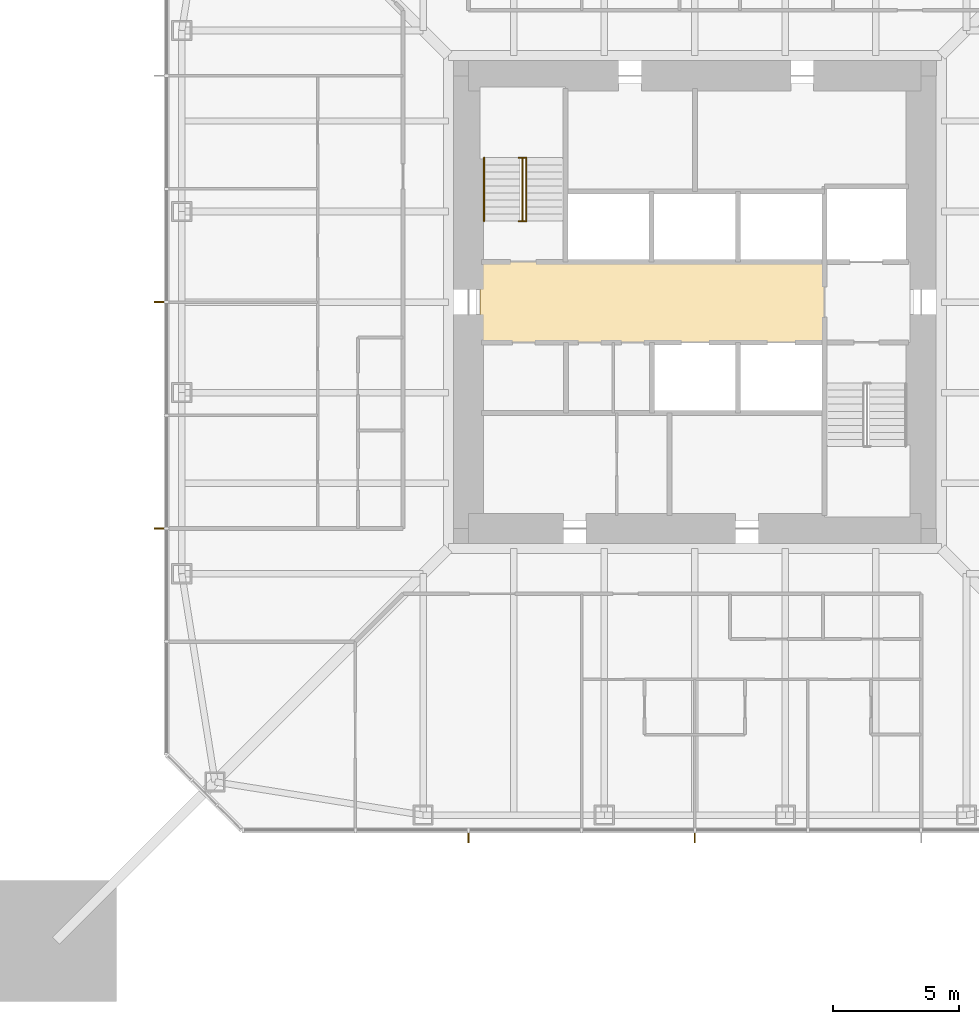
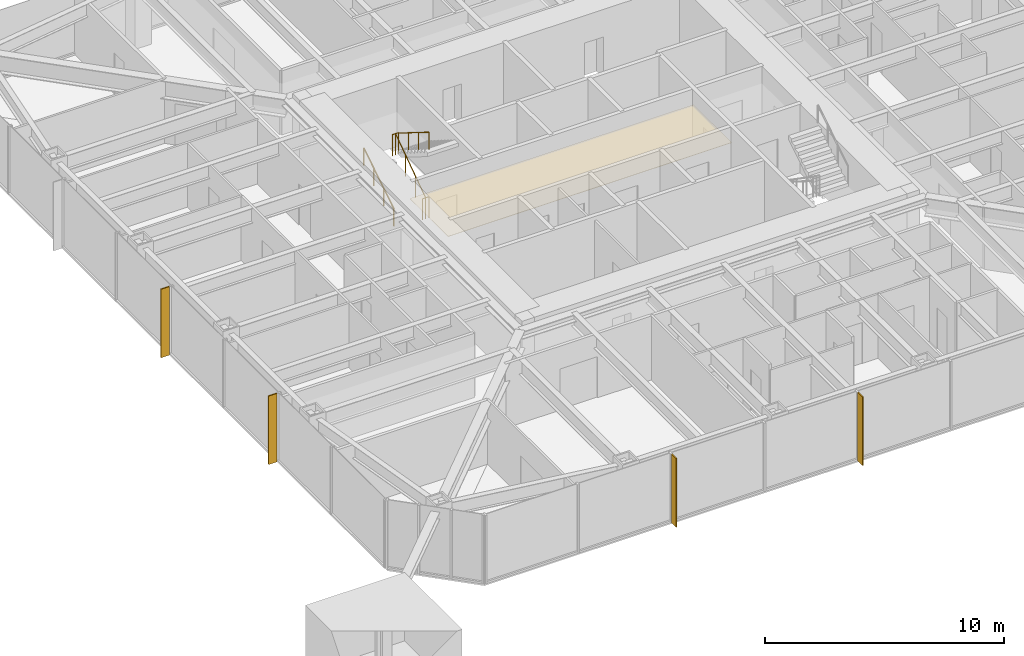
# One storey, part 11 of 14: 4 shading devices, 3 railings, 1 covering.
"""IFC4 building model written with IfcOpenShell, lengths in metres."""

import ifcopenshell
import ifcopenshell.guid

model = None  # the IFC model being written
_history = None  # IfcOwnerHistory: only IFC2X3 demands one
_inside = {}  # id of a spatial element -> (the spatial element, [elements in it])
_under = {}  # id of a project, library or spatial element -> (it, [spatial elements below it])
_declared = {}  # id of a project -> (the project, [libraries it declares])
_typed = {}  # id of a type object -> (the type object, [elements of that type])
_made_of = {}  # id of a material, layer set ... -> (it, [elements and type objects made of it])


def new_model(schema):
    """Start an empty IFC model of exactly this schema.

    Asked for "IFC4X3", IfcOpenShell would pick the latest addendum, in which some entities
    have other attributes; the version numbers below select the first issue.
    IFC2X3 requires an IfcOwnerHistory on every rooted entity: one is made here for all.
    """
    global model, _history
    if schema == "IFC4X3":
        model = ifcopenshell.file(schema_version=(4, 3, 0, 0))
    else:
        model = ifcopenshell.file(schema=schema)
    _inside.clear()
    _under.clear()
    _declared.clear()
    _typed.clear()
    _made_of.clear()
    _history = None
    if model.schema == "IFC2X3":
        org = make("IfcOrganization", Name="unknown")
        user = make(
            "IfcPersonAndOrganization",
            ThePerson=make("IfcPerson", FamilyName="unknown"),
            TheOrganization=org,
        )
        app = make(
            "IfcApplication",
            ApplicationDeveloper=org,
            Version="unknown",
            ApplicationFullName="unknown",
            ApplicationIdentifier="unknown",
        )
        _history = make(
            "IfcOwnerHistory",
            OwningUser=user,
            OwningApplication=app,
            ChangeAction="ADDED",
            CreationDate=0,
        )
    return model


def make(cls, **values):
    """One entity of the class cls with the attributes given. An attribute that is None is left unset."""
    return model.create_entity(
        cls, **{name: value for name, value in values.items() if value is not None}
    )


def rooted(cls, **values):
    """An entity with a GlobalId (a new one), such as an element, a storey or a relation."""
    return make(cls, GlobalId=ifcopenshell.guid.new(), OwnerHistory=_history, **values)


def si_unit(unit_type, name, prefix=None):
    """IfcSIUnit, for example si_unit("LENGTHUNIT", "METRE", prefix="MILLI")."""
    return make("IfcSIUnit", UnitType=unit_type, Prefix=prefix, Name=name)


def assignment(units):
    """IfcUnitAssignment: the units of a project."""
    return None if units is None else make("IfcUnitAssignment", Units=units)


def point(xyz):
    """IfcCartesianPoint."""
    return None if xyz is None else make("IfcCartesianPoint", Coordinates=xyz)


def direction(xyz):
    """IfcDirection."""
    return None if xyz is None else make("IfcDirection", DirectionRatios=xyz)


def frame(location, z_axis=None, x_axis=None):
    """IfcAxis2Placement3D, a coordinate frame: its origin and axes. An axis left out is left unset."""
    return make(
        "IfcAxis2Placement3D",
        Location=point(location),
        Axis=direction(z_axis),
        RefDirection=direction(x_axis),
    )


def frame_2d(location, x_axis=None):
    """IfcAxis2Placement2D, a coordinate frame in the plane: its origin and x axis."""
    return make(
        "IfcAxis2Placement2D", Location=point(location), RefDirection=direction(x_axis)
    )


def origin():
    """The frame at (0, 0, 0) with its axes left unset."""
    return frame((0.0, 0.0, 0.0))


def origin_2d():
    """The frame at (0, 0) in the plane with its x axis left unset."""
    return frame_2d((0.0, 0.0))


def place(relative_to, where):
    """IfcLocalPlacement: puts the frame where relative to a parent placement (None: the world)."""
    return make(
        "IfcLocalPlacement", PlacementRelTo=relative_to, RelativePlacement=where
    )


def context(
    kind, dimensions, precision=None, world=None, true_north=None, identifier=None
):
    """IfcGeometricRepresentationContext, for example the 3D "Model" context."""
    return make(
        "IfcGeometricRepresentationContext",
        ContextIdentifier=identifier,
        ContextType=kind,
        CoordinateSpaceDimension=dimensions,
        Precision=precision,
        WorldCoordinateSystem=world,
        TrueNorth=true_north,
    )


def subcontext(parent, identifier, kind, view, scale=None):
    """IfcGeometricRepresentationSubContext, for example "Body" below "Model"."""
    return make(
        "IfcGeometricRepresentationSubContext",
        ContextIdentifier=identifier,
        ContextType=kind,
        ParentContext=parent,
        TargetScale=scale,
        TargetView=view,
    )


def project(units=None, contexts=None):
    """IfcProject with its units and contexts."""
    return rooted(
        "IfcProject",
        Name="project",
        RepresentationContexts=contexts,
        UnitsInContext=assignment(units),
    )


def spatial(cls, under=None, at=None, **own):
    """A site, building, storey or space (cls), placed at a placement, below another one or the project."""
    s = rooted(cls, ObjectPlacement=at, **own)
    if under is not None:
        _under.setdefault(under.id(), (under, []))[1].append(s)
    return s


def polyline(points):
    """IfcPolyline through the points."""
    return make("IfcPolyline", Points=[point(p) for p in points])


def profile(cls, at=None, kind="AREA", **sizes):
    """A parametric profile (cls). Its sizes go by their IFC names, for example OverallWidth=200.0."""
    return make(cls, ProfileType=kind, Position=at, **sizes)


def rectangle(**sizes):
    """IfcRectangleProfileDef."""
    return profile("IfcRectangleProfileDef", **sizes)


def circle(**sizes):
    """IfcCircleProfileDef."""
    return profile("IfcCircleProfileDef", **sizes)


def outline(outer, holes=None, kind="AREA"):
    """IfcArbitraryClosedProfileDef: a profile drawn as a closed curve; with holes, ...WithVoids."""
    if holes is None:
        return make("IfcArbitraryClosedProfileDef", ProfileType=kind, OuterCurve=outer)
    return make(
        "IfcArbitraryProfileDefWithVoids",
        ProfileType=kind,
        OuterCurve=outer,
        InnerCurves=holes,
    )


def extrude(swept, where, along, depth):
    """IfcExtrudedAreaSolid: the profile swept, set in the frame where, extruded along a direction by depth."""
    return make(
        "IfcExtrudedAreaSolid",
        SweptArea=swept,
        Position=where,
        ExtrudedDirection=direction(along),
        Depth=depth,
    )


def shape(context_of_items, identifier, shape_type, items):
    """IfcShapeRepresentation: the items that make up one representation, for example the "Body"."""
    return make(
        "IfcShapeRepresentation",
        ContextOfItems=context_of_items,
        RepresentationIdentifier=identifier,
        RepresentationType=shape_type,
        Items=items,
    )


def material(Name=None, Category=None):
    """IfcMaterial."""
    return make("IfcMaterial", Name=Name, Category=Category)


def layer(
    of_material, thickness, ventilated=None, Name=None, Category=None, Priority=None
):
    """IfcMaterialLayer: one layer of a wall or slab, of a material (None: an air gap)."""
    return make(
        "IfcMaterialLayer",
        Material=of_material,
        LayerThickness=thickness,
        IsVentilated=ventilated,
        Name=Name,
        Category=Category,
        Priority=Priority,
    )


def layer_set(layers, Name=None):
    """IfcMaterialLayerSet."""
    return make("IfcMaterialLayerSet", MaterialLayers=layers, LayerSetName=Name)


def constituent(of_material, Name=None, Category=None, fraction=None):
    """IfcMaterialConstituent: one of the materials an element consists of."""
    return make(
        "IfcMaterialConstituent",
        Name=Name,
        Material=of_material,
        Fraction=fraction,
        Category=Category,
    )


def constituent_set(constituents=None, Name=None):
    """IfcMaterialConstituentSet."""
    return make(
        "IfcMaterialConstituentSet", Name=Name, MaterialConstituents=constituents
    )


def made_of(thing, what):
    """Note that an element or type object is made of a material, layer set ...; save() writes the relation."""
    if what is not None:
        _made_of.setdefault(what.id(), (what, []))[1].append(thing)
    return thing


def type_object(cls, material=None, **own):
    """A type object (cls), such as IfcWallType, which elements share."""
    return made_of(rooted(cls, **own), material)


def element(
    cls,
    number,
    at=None,
    inside=None,
    cuts=None,
    type_object=None,
    material=None,
    context=None,
    identifier="Body",
    shape_type=None,
    held_by="IfcProductDefinitionShape",
    body=None,
    shapes=None,
    **own,
):
    """One element of the class cls, such as IfcWall. Its Tag is "e" and its number.

    at: its placement. inside: the storey or other place that contains it. cuts: it is an
    opening in that element (IfcRelVoidsElement). A single representation is given by context,
    identifier, shape_type and body (its items); several are given by shapes. held_by: the class
    of the entity that holds the representations. save() writes the other relations.
    """
    e = rooted(cls, Tag="e%d" % number, ObjectPlacement=at, **own)
    if body is not None:
        shapes = [shape(context, identifier, shape_type, body)]
    if shapes is not None:
        e.Representation = make(held_by, Representations=shapes)
    if inside is not None:
        _inside.setdefault(inside.id(), (inside, []))[1].append(e)
    if cuts is not None:
        rooted(
            "IfcRelVoidsElement", RelatingBuildingElement=cuts, RelatedOpeningElement=e
        )
    if type_object is not None:
        _typed.setdefault(type_object.id(), (type_object, []))[1].append(e)
    return made_of(e, material)


def aggregate(whole, parts):
    """IfcRelAggregates: a whole, such as a stair, and the parts it consists of."""
    return rooted("IfcRelAggregates", RelatingObject=whole, RelatedObjects=parts)


def save(model, path):
    """Write the relations noted so far, then the file.

    IfcRelAggregates (storeys below a building ...), IfcRelContainedInSpatialStructure (elements
    in a storey), IfcRelDefinesByType, IfcRelAssociatesMaterial and IfcRelDeclares: one each for
    every whole, place, type object, material and project.
    """
    for whole, parts in _under.values():
        aggregate(whole, parts)
    for where, things in _inside.values():
        rooted(
            "IfcRelContainedInSpatialStructure",
            RelatedElements=things,
            RelatingStructure=where,
        )
    for kind, things in _typed.values():
        rooted("IfcRelDefinesByType", RelatedObjects=things, RelatingType=kind)
    for what, things in _made_of.values():
        rooted("IfcRelAssociatesMaterial", RelatedObjects=things, RelatingMaterial=what)
    for by, libraries in _declared.values():
        rooted("IfcRelDeclares", RelatingContext=by, RelatedDefinitions=libraries)
    model.write(path)


model = new_model("IFC4")

# Units and contexts
model_context = context("Model", 3, precision=1e-05, world=origin(), true_north=direction((0.0, 1.0)))
body_context = subcontext(model_context, "Body", "Model", "MODEL_VIEW")
ifc_project = project(units=[si_unit("LENGTHUNIT", "METRE"), si_unit("AREAUNIT", "SQUARE_METRE"), si_unit("VOLUMEUNIT", "CUBIC_METRE"), si_unit("PLANEANGLEUNIT", "RADIAN"), si_unit("MASSUNIT", "GRAM", prefix="KILO")], contexts=[model_context])

# Site, building, storey
site_placement = place(None, origin())
site = spatial("IfcSite", under=ifc_project, at=site_placement, CompositionType="ELEMENT")
building_placement = place(site_placement, origin())
building = spatial("IfcBuilding", under=site, at=building_placement, Name="Iwan Alto Co-Living Towers", CompositionType="ELEMENT")
storey_placement = place(building_placement, frame((0.0, 0.0, 136.5)))
storey = spatial("IfcBuildingStorey", under=building, at=storey_placement, Name="L37", CompositionType="ELEMENT", Elevation=136.5)

# Covering
ifc_material_1 = material(Name="Mineral fibre acoustic tiles on steel grid", Category="steel")
ifc_layer_1 = layer(ifc_material_1, 0.02001953125)
ifc_layer_set_1 = layer_set([ifc_layer_1], Name="ACOUSTIC TILE CEILING 20")
covering_type = type_object("IfcCoveringType", Name="ACOUSTIC TILE CEILING 20", PredefinedType="CEILING", material=ifc_layer_set_1)
covering_placement = place(storey_placement, frame((0.0, 0.0, 2.60009765625)))
element("IfcCovering", 1, at=covering_placement, inside=storey, type_object=covering_type, Name="Ceiling Lift lobby L37", PredefinedType="CEILING", context=body_context, shape_type="SweptSolid", body=[
    extrude(outline(polyline([(-8.550048828125, -1.60009765625), (-8.550048828125, 1.60009765625), (5.14990234375, 1.60009765625), (5.14990234375, -1.60009765625), (-8.550048828125, -1.60009765625)])), origin(), (0.0, 0.0, 1.0), 0.02001953125),
])

# Shading devices
ifc_material_2 = material(Name="Aluminium 6063-T6 bronze anodised", Category="aluminium")
ifc_layer_2 = layer(ifc_material_2, 0.050048828125)
ifc_layer_set_2 = layer_set([ifc_layer_2], Name="BRONZE FIN 50X400")
shading_device_type = type_object("IfcShadingDeviceType", Name="BRONZE FIN 50X400", PredefinedType="USERDEFINED", material=ifc_layer_set_2)
for number, where, z_axis, x_axis, name in (
    (2, (-9.0, -21.300048828125, 0.0), (0.0, 0.0, 1.0), (1.0, 0.0, 0.0), "Bronze fin L37"),
    (3, (0.0, -21.300048828125, 0.0), (0.0, 0.0, 1.0), (1.0, 0.0, 0.0), "Bronze fin L37"),
    (4, (-21.300048828125, 0.0, 0.0), (0.0, 0.0, 1.0), (0.0, -1.0, 0.0), "Bronze fin L37"),
    (5, (-21.300048828125, -9.0, 0.0), (0.0, 0.0, 1.0), (0.0, -1.0, 0.0), "Bronze fin L37"),
):
    element("IfcShadingDevice", number, at=place(storey_placement, frame(where, z_axis=z_axis, x_axis=x_axis)), inside=storey, type_object=shading_device_type, Name=name, ObjectType="LOUVER", PredefinedType="USERDEFINED", context=body_context, shape_type="SweptSolid", body=[
        extrude(rectangle(XDim=0.050048828125, YDim=0.39990234375, at=origin_2d()), origin(), (0.0, 0.0, 1.0), 3.5),
    ])

# Railings
ifc_material_3 = material(Name="Steel ASTM A500 Gr C", Category="steel")
ifc_constituent_1 = constituent(ifc_material_3, Name="Rails and posts", Category="Framing")
ifc_material_4 = material(Name="Steel ASTM A36", Category="steel")
ifc_constituent_2 = constituent(ifc_material_4, Name="Bar infill", Category="Infill")
ifc_constituent_set = constituent_set(constituents=[ifc_constituent_1, ifc_constituent_2], Name="STAIR GUARD 1100")
railing_type_1 = type_object("IfcRailingType", Name="STAIR GUARD 1100", PredefinedType="GUARDRAIL", material=ifc_constituent_set)
railing_1_placement = place(storey_placement, frame((-6.85009765625, 3.219970703125, 0.0)))
element("IfcRailing", 6, at=railing_1_placement, inside=storey, type_object=railing_type_1, Name="Stair T1-S1 well guard L37", PredefinedType="GUARDRAIL", context=body_context, shape_type="SweptSolid", body=[
    extrude(circle(Radius=0.02392578125, at=origin_2d()), frame((0.0, 0.0, 1.076171875), z_axis=(0.0, 0.821372036852, 0.570392826987), x_axis=(-1.0, 0.0, 0.0)), (0.0, 0.0, 1.0), 3.068115234375),
    extrude(circle(Radius=0.02392578125, at=origin_2d()), frame((-0.14990234375, 0.0, 1.076171875), z_axis=(1.0, 0.0, 0.0), x_axis=(0.0, 1.0, 0.0)), (0.0, 0.0, 1.0), 0.300048828125),
    extrude(circle(Radius=0.02392578125, at=origin_2d()), frame((-0.14990234375, 2.52001953125, 2.826171875), z_axis=(1.0, 0.0, 0.0), x_axis=(0.0, 1.0, 0.0)), (0.0, 0.0, 1.0), 0.300048828125),
    extrude(circle(Radius=0.02099609375, at=origin_2d()), origin(), (0.0, 0.0, 1.0), 1.052001953125),
    extrude(circle(Radius=0.02099609375, at=origin_2d()), frame((0.0, 0.840087890625, 0.583251953125)), (0.0, 0.0, 1.0), 1.052001953125),
    extrude(circle(Radius=0.02099609375, at=origin_2d()), frame((0.0, 1.679931640625, 1.166748046875)), (0.0, 0.0, 1.0), 1.052001953125),
    extrude(circle(Radius=0.02099609375, at=origin_2d()), frame((0.0, 2.52001953125, 1.75)), (0.0, 0.0, 1.0), 1.052001953125),
    extrude(circle(Radius=0.02099609375, at=origin_2d()), frame((-0.14990234375, 0.0, 0.0)), (0.0, 0.0, 1.0), 1.052001953125),
    extrude(circle(Radius=0.02099609375, at=origin_2d()), frame((0.150146484375, 0.0, 0.0)), (0.0, 0.0, 1.0), 1.052001953125),
    extrude(circle(Radius=0.02099609375, at=origin_2d()), frame((-0.14990234375, 2.52001953125, 1.75)), (0.0, 0.0, 1.0), 1.052001953125),
    extrude(circle(Radius=0.02099609375, at=origin_2d()), frame((0.150146484375, 2.52001953125, 1.75)), (0.0, 0.0, 1.0), 1.052001953125),
])
ifc_material_5 = material(Name="Steel ASTM A500 Gr C", Category="steel")
railing_type_2 = type_object("IfcRailingType", Name="STAIR HANDRAIL 900", PredefinedType="HANDRAIL", material=ifc_material_5)
railing_2_placement = place(storey_placement, frame((-8.3798828125, 3.219970703125, 0.175048828125)))
element("IfcRailing", 7, at=railing_2_placement, inside=storey, type_object=railing_type_2, Name="Stair T1-S1 handrail 1 L37", PredefinedType="HANDRAIL", context=body_context, shape_type="SweptSolid", body=[
    extrude(circle(Radius=0.02392578125, at=origin_2d()), frame((0.0, 0.0, 0.8759765625), z_axis=(0.0, 0.848007534815, 0.529984170421), x_axis=(-1.0, 0.0, 0.0)), (0.0, 0.0, 1.0), 2.9716796875),
    extrude(circle(Radius=0.02099609375, at=origin_2d()), origin(), (0.0, 0.0, 1.0), 0.851806640625),
    extrude(circle(Radius=0.02099609375, at=origin_2d()), frame((0.0, 0.840087890625, 0.52490234375)), (0.0, 0.0, 1.0), 0.851806640625),
    extrude(circle(Radius=0.02099609375, at=origin_2d()), frame((0.0, 1.679931640625, 1.050048828125)), (0.0, 0.0, 1.0), 0.851806640625),
    extrude(circle(Radius=0.02099609375, at=origin_2d()), frame((0.0, 2.52001953125, 1.574951171875)), (0.0, 0.0, 1.0), 0.851806640625),
])
railing_3_placement = place(storey_placement, frame((-6.699951171875, 5.739990234375, 1.925048828125)))
element("IfcRailing", 8, at=railing_3_placement, inside=storey, type_object=railing_type_2, Name="Stair T1-S1 handrail 2 L37", PredefinedType="HANDRAIL", context=body_context, shape_type="SweptSolid", body=[
    extrude(circle(Radius=0.02392578125, at=origin_2d()), frame((0.0, 0.0, 0.8759765625), z_axis=(0.0, -0.848007534815, 0.529984170421), x_axis=(1.0, 0.0, 0.0)), (0.0, 0.0, 1.0), 2.9716796875),
    extrude(circle(Radius=0.02099609375, at=origin_2d()), origin(), (0.0, 0.0, 1.0), 0.851806640625),
    extrude(circle(Radius=0.02099609375, at=origin_2d()), frame((0.0, -0.840087890625, 0.52490234375)), (0.0, 0.0, 1.0), 0.851806640625),
    extrude(circle(Radius=0.02099609375, at=origin_2d()), frame((0.0, -1.679931640625, 1.050048828125)), (0.0, 0.0, 1.0), 0.851806640625),
    extrude(circle(Radius=0.02099609375, at=origin_2d()), frame((0.0, -2.52001953125, 1.574951171875)), (0.0, 0.0, 1.0), 0.851806640625),
])

save(model, "model.ifc")
